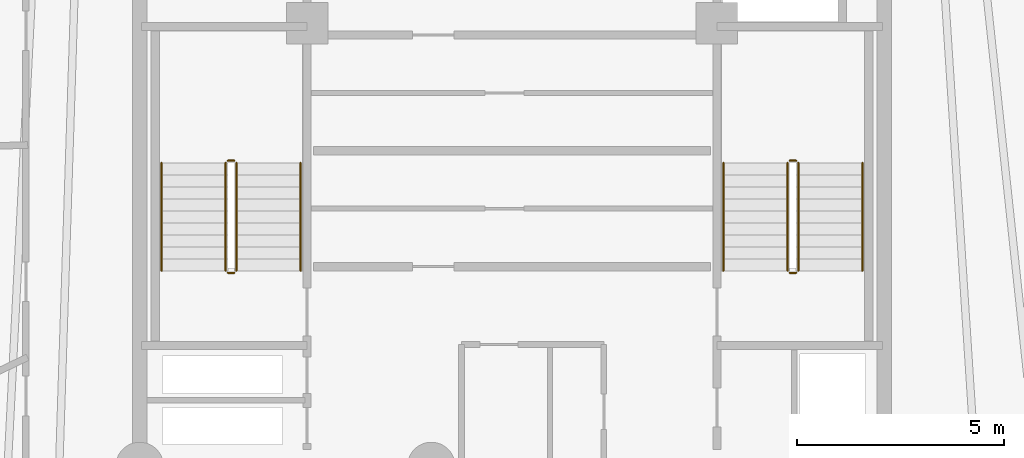
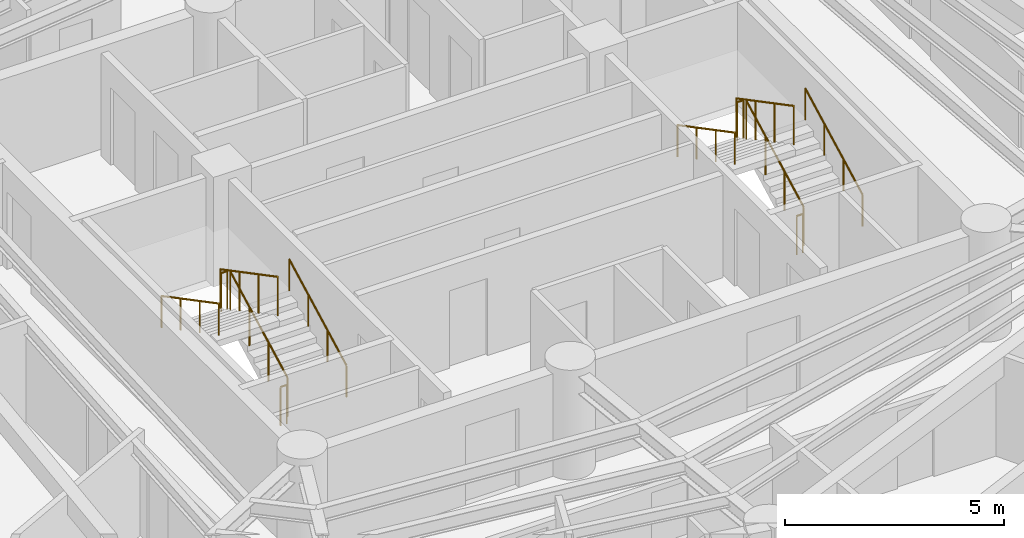
# One storey, part 7 of 7: 12 railings.
"""IFC4 building model written with IfcOpenShell, lengths in metres."""

from ifc_helpers import new_model, si_unit, direction, frame, origin, origin_2d, place, context, subcontext, project, spatial, circle, extrude, material, layer, layer_set, type_object, element, save


model = new_model("IFC4")

# Units and contexts
model_context = context("Model", 3, precision=1e-05, world=origin(), true_north=direction((0.0, 1.0)))
body_context = subcontext(model_context, "Body", "Model", "MODEL_VIEW")
ifc_project = project(units=[si_unit("LENGTHUNIT", "METRE"), si_unit("AREAUNIT", "SQUARE_METRE"), si_unit("VOLUMEUNIT", "CUBIC_METRE"), si_unit("PLANEANGLEUNIT", "RADIAN"), si_unit("MASSUNIT", "GRAM", prefix="KILO")], contexts=[model_context])

# Site, building, storey
site_placement = place(None, origin())
site = spatial("IfcSite", under=ifc_project, at=site_placement, CompositionType="ELEMENT")
building_placement = place(site_placement, origin())
building = spatial("IfcBuilding", under=site, at=building_placement, Name="Karkom Vertical University and Central Library", CompositionType="ELEMENT")
storey_placement = place(building_placement, frame((0.0, 0.0, 256.550048828125)))
storey = spatial("IfcBuildingStorey", under=building, at=storey_placement, Name="L76", CompositionType="ELEMENT", Elevation=256.550048828125)

# Railings
ifc_material_1 = material(Name="Painted galvanised steel balustrade", Category="steel")
ifc_layer_1 = layer(ifc_material_1, 0.06005859375)
ifc_layer_set_1 = layer_set([ifc_layer_1], Name="Painted galvanised steel balustrade")
railing_type_1 = type_object("IfcRailingType", Name="INT-RL-GUARD1100", PredefinedType="GUARDRAIL", material=ifc_layer_set_1)
railing_1_placement = place(storey_placement, frame((21.840087890625, 23.02001953125, 0.15234375)))
element("IfcRailing", 1, at=railing_1_placement, inside=storey, type_object=railing_type_1, Name="Level 76 ST-1 stair guard 1", PredefinedType="GUARDRAIL", context=body_context, shape_type="SweptSolid", body=[
    extrude(circle(Radius=0.02392578125, at=origin_2d()), frame((0.0, 0.0, 1.076171875), z_axis=(0.0, 0.885065446896, 0.46546659892), x_axis=(-1.0, 0.0, 0.0)), (0.0, 0.0, 1.0), 2.94873046875),
    extrude(circle(Radius=0.02099609375, at=origin_2d()), origin(), (0.0, 0.0, 1.0), 1.052001953125),
    extrude(circle(Radius=0.02099609375, at=origin_2d()), frame((0.0, 0.869873046875, 0.45751953125)), (0.0, 0.0, 1.0), 1.052001953125),
    extrude(circle(Radius=0.02099609375, at=origin_2d()), frame((0.0, 1.739990234375, 0.9150390625)), (0.0, 0.0, 1.0), 1.052001953125),
    extrude(circle(Radius=0.02099609375, at=origin_2d()), frame((0.0, 2.60986328125, 1.37255859375)), (0.0, 0.0, 1.0), 1.052001953125),
])
railing_2_placement = place(storey_placement, frame((21.7900390625, 25.679931640625, 1.52490234375)))
element("IfcRailing", 2, at=railing_2_placement, inside=storey, type_object=railing_type_1, Name="Level 76 ST-1 stair guard 2", PredefinedType="GUARDRAIL", context=body_context, shape_type="SweptSolid", body=[
    extrude(circle(Radius=0.02392578125, at=origin_2d()), frame((0.0, 0.0, 1.076171875), z_axis=(-1.0, 0.0, 0.0), x_axis=(0.0, -1.0, 0.0)), (0.0, 0.0, 1.0), 0.16015625),
    extrude(circle(Radius=0.02099609375, at=origin_2d()), origin(), (0.0, 0.0, 1.0), 1.052001953125),
    extrude(circle(Radius=0.02099609375, at=origin_2d()), frame((-0.16015625, 0.0, 0.0)), (0.0, 0.0, 1.0), 1.052001953125),
])
railing_3_placement = place(storey_placement, frame((21.580078125, 25.6298828125, 1.677490234375)))
element("IfcRailing", 3, at=railing_3_placement, inside=storey, type_object=railing_type_1, Name="Level 76 ST-1 stair guard 3", PredefinedType="GUARDRAIL", context=body_context, shape_type="SweptSolid", body=[
    extrude(circle(Radius=0.02392578125, at=origin_2d()), frame((0.0, 0.0, 1.076171875), z_axis=(0.0, -0.885065446896, 0.46546659892), x_axis=(1.0, 0.0, 0.0)), (0.0, 0.0, 1.0), 2.94873046875),
    extrude(circle(Radius=0.02099609375, at=origin_2d()), origin(), (0.0, 0.0, 1.0), 1.052001953125),
    extrude(circle(Radius=0.02099609375, at=origin_2d()), frame((0.0, -0.869873046875, 0.45751953125)), (0.0, 0.0, 1.0), 1.052001953125),
    extrude(circle(Radius=0.02099609375, at=origin_2d()), frame((0.0, -1.739990234375, 0.9150390625)), (0.0, 0.0, 1.0), 1.052001953125),
    extrude(circle(Radius=0.02099609375, at=origin_2d()), frame((0.0, -2.60986328125, 1.37255859375)), (0.0, 0.0, 1.0), 1.052001953125),
])
railing_4_placement = place(storey_placement, frame((21.7900390625, 22.969970703125, 0.0)))
element("IfcRailing", 4, at=railing_4_placement, inside=storey, type_object=railing_type_1, Name="Level 76 ST-1 stair guard 4", PredefinedType="GUARDRAIL", context=body_context, shape_type="SweptSolid", body=[
    extrude(circle(Radius=0.02392578125, at=origin_2d()), frame((0.0, 0.0, 1.076171875), z_axis=(-1.0, 0.0, 0.0), x_axis=(0.0, -1.0, 0.0)), (0.0, 0.0, 1.0), 0.16015625),
    extrude(circle(Radius=0.02099609375, at=origin_2d()), origin(), (0.0, 0.0, 1.0), 1.052001953125),
    extrude(circle(Radius=0.02099609375, at=origin_2d()), frame((-0.16015625, 0.0, 0.0)), (0.0, 0.0, 1.0), 1.052001953125),
])
railing_5_placement = place(storey_placement, frame((35.419921875, 23.02001953125, 0.15234375)))
element("IfcRailing", 5, at=railing_5_placement, inside=storey, type_object=railing_type_1, Name="Level 76 ST-2 stair guard 1", PredefinedType="GUARDRAIL", context=body_context, shape_type="SweptSolid", body=[
    extrude(circle(Radius=0.02392578125, at=origin_2d()), frame((0.0, 0.0, 1.076171875), z_axis=(0.0, 0.885065446896, 0.46546659892), x_axis=(-1.0, 0.0, 0.0)), (0.0, 0.0, 1.0), 2.94873046875),
    extrude(circle(Radius=0.02099609375, at=origin_2d()), origin(), (0.0, 0.0, 1.0), 1.052001953125),
    extrude(circle(Radius=0.02099609375, at=origin_2d()), frame((0.0, 0.869873046875, 0.45751953125)), (0.0, 0.0, 1.0), 1.052001953125),
    extrude(circle(Radius=0.02099609375, at=origin_2d()), frame((0.0, 1.739990234375, 0.9150390625)), (0.0, 0.0, 1.0), 1.052001953125),
    extrude(circle(Radius=0.02099609375, at=origin_2d()), frame((0.0, 2.60986328125, 1.37255859375)), (0.0, 0.0, 1.0), 1.052001953125),
])
railing_6_placement = place(storey_placement, frame((35.3701171875, 25.679931640625, 1.52490234375)))
element("IfcRailing", 6, at=railing_6_placement, inside=storey, type_object=railing_type_1, Name="Level 76 ST-2 stair guard 2", PredefinedType="GUARDRAIL", context=body_context, shape_type="SweptSolid", body=[
    extrude(circle(Radius=0.02392578125, at=origin_2d()), frame((0.0, 0.0, 1.076171875), z_axis=(-1.0, 0.0, 0.0), x_axis=(0.0, -1.0, 0.0)), (0.0, 0.0, 1.0), 0.16015625),
    extrude(circle(Radius=0.02099609375, at=origin_2d()), origin(), (0.0, 0.0, 1.0), 1.052001953125),
    extrude(circle(Radius=0.02099609375, at=origin_2d()), frame((-0.16015625, 0.0, 0.0)), (0.0, 0.0, 1.0), 1.052001953125),
])
railing_7_placement = place(storey_placement, frame((35.159912109375, 25.6298828125, 1.677490234375)))
element("IfcRailing", 7, at=railing_7_placement, inside=storey, type_object=railing_type_1, Name="Level 76 ST-2 stair guard 3", PredefinedType="GUARDRAIL", context=body_context, shape_type="SweptSolid", body=[
    extrude(circle(Radius=0.02392578125, at=origin_2d()), frame((0.0, 0.0, 1.076171875), z_axis=(0.0, -0.885065446896, 0.46546659892), x_axis=(1.0, 0.0, 0.0)), (0.0, 0.0, 1.0), 2.94873046875),
    extrude(circle(Radius=0.02099609375, at=origin_2d()), origin(), (0.0, 0.0, 1.0), 1.052001953125),
    extrude(circle(Radius=0.02099609375, at=origin_2d()), frame((0.0, -0.869873046875, 0.45751953125)), (0.0, 0.0, 1.0), 1.052001953125),
    extrude(circle(Radius=0.02099609375, at=origin_2d()), frame((0.0, -1.739990234375, 0.9150390625)), (0.0, 0.0, 1.0), 1.052001953125),
    extrude(circle(Radius=0.02099609375, at=origin_2d()), frame((0.0, -2.60986328125, 1.37255859375)), (0.0, 0.0, 1.0), 1.052001953125),
])
railing_8_placement = place(storey_placement, frame((35.3701171875, 22.969970703125, 0.0)))
element("IfcRailing", 8, at=railing_8_placement, inside=storey, type_object=railing_type_1, Name="Level 76 ST-2 stair guard 4", PredefinedType="GUARDRAIL", context=body_context, shape_type="SweptSolid", body=[
    extrude(circle(Radius=0.02392578125, at=origin_2d()), frame((0.0, 0.0, 1.076171875), z_axis=(-1.0, 0.0, 0.0), x_axis=(0.0, -1.0, 0.0)), (0.0, 0.0, 1.0), 0.16015625),
    extrude(circle(Radius=0.02099609375, at=origin_2d()), origin(), (0.0, 0.0, 1.0), 1.052001953125),
    extrude(circle(Radius=0.02099609375, at=origin_2d()), frame((-0.16015625, 0.0, 0.0)), (0.0, 0.0, 1.0), 1.052001953125),
])
ifc_material_2 = material(Name="Brushed stainless-steel tubular handrail", Category="steel")
ifc_layer_2 = layer(ifc_material_2, 0.048095703125)
ifc_layer_set_2 = layer_set([ifc_layer_2], Name="Brushed stainless-steel tubular handrail")
railing_type_2 = type_object("IfcRailingType", Name="INT-RL-HAND920", PredefinedType="HANDRAIL", material=ifc_layer_set_2)
railing_9_placement = place(storey_placement, frame((23.389892578125, 23.02001953125, 0.15234375)))
element("IfcRailing", 9, at=railing_9_placement, inside=storey, type_object=railing_type_2, Name="Level 76 ST-1 stair handrail 1", PredefinedType="HANDRAIL", context=body_context, shape_type="SweptSolid", body=[
    extrude(circle(Radius=0.02392578125, at=origin_2d()), frame((0.0, 0.0, 0.8759765625), z_axis=(0.0, 0.885065446896, 0.46546659892), x_axis=(-1.0, 0.0, 0.0)), (0.0, 0.0, 1.0), 2.94873046875),
    extrude(circle(Radius=0.02099609375, at=origin_2d()), origin(), (0.0, 0.0, 1.0), 0.851806640625),
    extrude(circle(Radius=0.02099609375, at=origin_2d()), frame((0.0, 0.869873046875, 0.45751953125)), (0.0, 0.0, 1.0), 0.851806640625),
    extrude(circle(Radius=0.02099609375, at=origin_2d()), frame((0.0, 1.739990234375, 0.9150390625)), (0.0, 0.0, 1.0), 0.851806640625),
    extrude(circle(Radius=0.02099609375, at=origin_2d()), frame((0.0, 2.60986328125, 1.37255859375)), (0.0, 0.0, 1.0), 0.851806640625),
])
railing_10_placement = place(storey_placement, frame((20.030029296875, 25.6298828125, 1.677490234375)))
element("IfcRailing", 10, at=railing_10_placement, inside=storey, type_object=railing_type_2, Name="Level 76 ST-1 stair handrail 2", PredefinedType="HANDRAIL", context=body_context, shape_type="SweptSolid", body=[
    extrude(circle(Radius=0.02392578125, at=origin_2d()), frame((0.0, 0.0, 0.8759765625), z_axis=(0.0, -0.885065446896, 0.46546659892), x_axis=(1.0, 0.0, 0.0)), (0.0, 0.0, 1.0), 2.94873046875),
    extrude(circle(Radius=0.02099609375, at=origin_2d()), origin(), (0.0, 0.0, 1.0), 0.851806640625),
    extrude(circle(Radius=0.02099609375, at=origin_2d()), frame((0.0, -0.869873046875, 0.45751953125)), (0.0, 0.0, 1.0), 0.851806640625),
    extrude(circle(Radius=0.02099609375, at=origin_2d()), frame((0.0, -1.739990234375, 0.9150390625)), (0.0, 0.0, 1.0), 0.851806640625),
    extrude(circle(Radius=0.02099609375, at=origin_2d()), frame((0.0, -2.60986328125, 1.37255859375)), (0.0, 0.0, 1.0), 0.851806640625),
])
railing_11_placement = place(storey_placement, frame((36.969970703125, 23.02001953125, 0.15234375)))
element("IfcRailing", 11, at=railing_11_placement, inside=storey, type_object=railing_type_2, Name="Level 76 ST-2 stair handrail 1", PredefinedType="HANDRAIL", context=body_context, shape_type="SweptSolid", body=[
    extrude(circle(Radius=0.02392578125, at=origin_2d()), frame((0.0, 0.0, 0.8759765625), z_axis=(0.0, 0.885065446896, 0.46546659892), x_axis=(-1.0, 0.0, 0.0)), (0.0, 0.0, 1.0), 2.94873046875),
    extrude(circle(Radius=0.02099609375, at=origin_2d()), origin(), (0.0, 0.0, 1.0), 0.851806640625),
    extrude(circle(Radius=0.02099609375, at=origin_2d()), frame((0.0, 0.869873046875, 0.45751953125)), (0.0, 0.0, 1.0), 0.851806640625),
    extrude(circle(Radius=0.02099609375, at=origin_2d()), frame((0.0, 1.739990234375, 0.9150390625)), (0.0, 0.0, 1.0), 0.851806640625),
    extrude(circle(Radius=0.02099609375, at=origin_2d()), frame((0.0, 2.60986328125, 1.37255859375)), (0.0, 0.0, 1.0), 0.851806640625),
])
railing_12_placement = place(storey_placement, frame((33.610107421875, 25.6298828125, 1.677490234375)))
element("IfcRailing", 12, at=railing_12_placement, inside=storey, type_object=railing_type_2, Name="Level 76 ST-2 stair handrail 2", PredefinedType="HANDRAIL", context=body_context, shape_type="SweptSolid", body=[
    extrude(circle(Radius=0.02392578125, at=origin_2d()), frame((0.0, 0.0, 0.8759765625), z_axis=(0.0, -0.885065446896, 0.46546659892), x_axis=(1.0, 0.0, 0.0)), (0.0, 0.0, 1.0), 2.94873046875),
    extrude(circle(Radius=0.02099609375, at=origin_2d()), origin(), (0.0, 0.0, 1.0), 0.851806640625),
    extrude(circle(Radius=0.02099609375, at=origin_2d()), frame((0.0, -0.869873046875, 0.45751953125)), (0.0, 0.0, 1.0), 0.851806640625),
    extrude(circle(Radius=0.02099609375, at=origin_2d()), frame((0.0, -1.739990234375, 0.9150390625)), (0.0, 0.0, 1.0), 0.851806640625),
    extrude(circle(Radius=0.02099609375, at=origin_2d()), frame((0.0, -2.60986328125, 1.37255859375)), (0.0, 0.0, 1.0), 0.851806640625),
])

save(model, "model.ifc")
